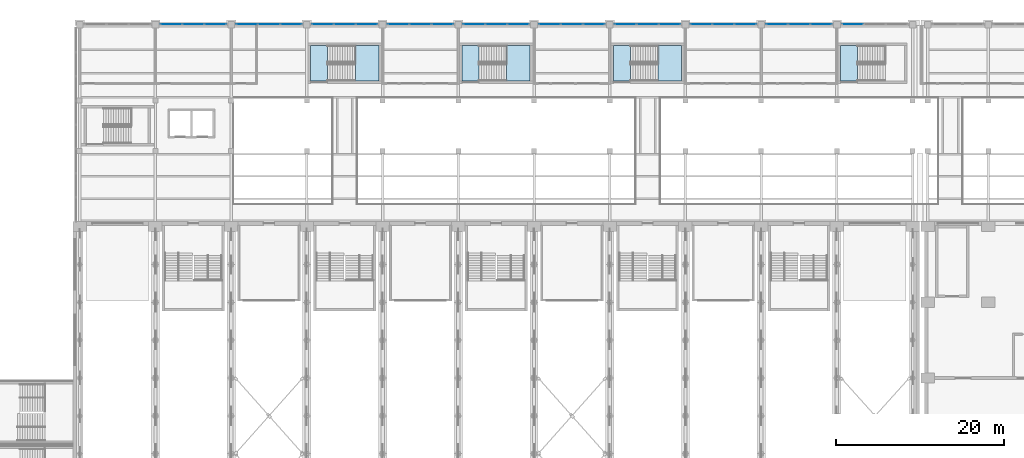
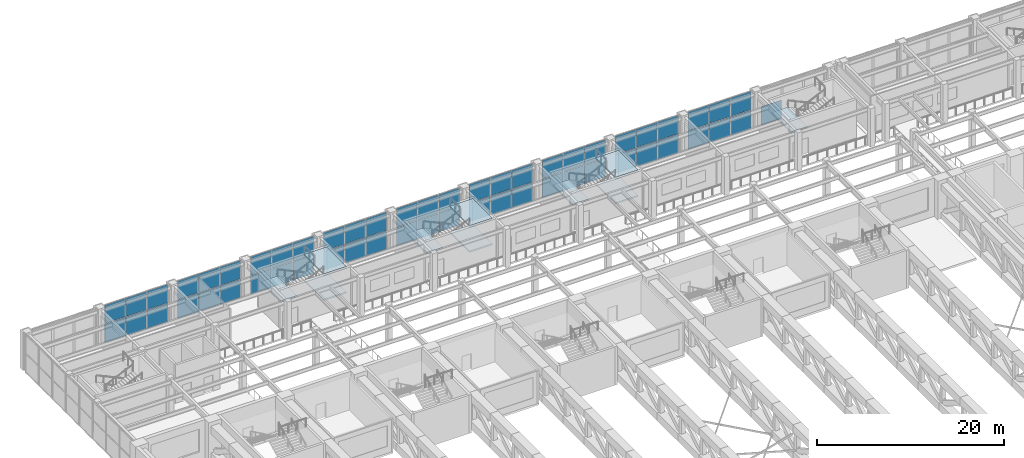
# One storey, part 30 of 76: 55 plates, 10 slabs, 14 elements without a shape of their own.
"""IFC4 building model written with IfcOpenShell, lengths in metres."""

from ifc_helpers import new_model, si_unit, direction, frame, origin, origin_2d, place, context, subcontext, project, spatial, polyline, rectangle, outline, extrude, material, layer, layer_set, type_object, element, aggregate, save


model = new_model("IFC4")

# Units and contexts
model_context = context("Model", 3, precision=1e-05, world=origin(), true_north=direction((0.0, 1.0)))
body_context = subcontext(model_context, "Body", "Model", "MODEL_VIEW")
ifc_project = project(units=[si_unit("LENGTHUNIT", "METRE"), si_unit("AREAUNIT", "SQUARE_METRE"), si_unit("VOLUMEUNIT", "CUBIC_METRE"), si_unit("PLANEANGLEUNIT", "RADIAN"), si_unit("MASSUNIT", "GRAM", prefix="KILO")], contexts=[model_context])

# Site, building, storey
site_placement = place(None, origin())
site = spatial("IfcSite", under=ifc_project, at=site_placement, CompositionType="ELEMENT")
building_placement = place(site_placement, origin())
building = spatial("IfcBuilding", under=site, at=building_placement, Name="Aravalli Gate Trade Fair Centre", CompositionType="ELEMENT")
storey_placement = place(building_placement, frame((0.0, 0.0, 10.0)))
storey = spatial("IfcBuildingStorey", under=building, at=storey_placement, Name="L02", CompositionType="ELEMENT", Elevation=10.0)

# Stair, slabs
ifc_material_1 = material(Name="Concrete M30", Category="concrete")
stair_type = type_object("IfcStairType", Name="Concourse stair, 2000 wide", PredefinedType="HALF_TURN_STAIR", material=ifc_material_1)
stair_1_placement = place(storey_placement, origin())
stair_1 = element("IfcStair", 1, at=stair_1_placement, inside=storey, type_object=stair_type, Name="Stair XA L02", PredefinedType="HALF_TURN_STAIR")
ifc_layer_1 = layer(ifc_material_1, 0.199951171875)
ifc_layer_set_1 = layer_set([ifc_layer_1], Name="Concrete M30")
slab_type = type_object("IfcSlabType", Name="Concourse stair landing 200", PredefinedType="LANDING", material=ifc_layer_set_1)
slab_1_placement = place(storey_placement, frame((0.0, 0.0, 1.466796875)))
slab_1 = element("IfcSlab", 2, at=slab_1_placement, type_object=slab_type, Name="STXA-L02 landing 1", PredefinedType="LANDING", context=body_context, shape_type="SweptSolid", body=[
    extrude(outline(polyline([(38.75, 126.300048828125), (41.550048828125, 126.300048828125), (41.550048828125, 130.5), (38.75, 130.5), (38.75, 126.300048828125)])), origin(), (0.0, 0.0, 1.0), 0.199951171875),
])
slab_2_placement = place(storey_placement, frame((0.0, 0.0, 3.13330078125)))
slab_2 = element("IfcSlab", 3, at=slab_2_placement, type_object=slab_type, Name="STXA-L02 landing 2", PredefinedType="LANDING", context=body_context, shape_type="SweptSolid", body=[
    extrude(outline(polyline([(33.449951171875, 126.300048828125), (35.449951171875, 126.300048828125), (35.449951171875, 130.5), (33.449951171875, 130.5), (33.449951171875, 126.300048828125)])), origin(), (0.0, 0.0, 1.0), 0.199951171875),
])
slab_3_placement = place(storey_placement, frame((0.0, 0.0, 4.800048828125)))
slab_3 = element("IfcSlab", 4, at=slab_3_placement, type_object=slab_type, Name="STXA-L02 landing 3", PredefinedType="LANDING", context=body_context, shape_type="SweptSolid", body=[
    extrude(outline(polyline([(38.75, 126.300048828125), (41.550048828125, 126.300048828125), (41.550048828125, 130.5), (38.75, 130.5), (38.75, 126.300048828125)])), origin(), (0.0, 0.0, 1.0), 0.199951171875),
])
aggregate(stair_1, [slab_1, slab_2, slab_3])

stair_2_placement = place(storey_placement, origin())
stair_2 = element("IfcStair", 5, at=stair_2_placement, inside=storey, type_object=stair_type, Name="Stair XB L02", PredefinedType="HALF_TURN_STAIR")
slab_4_placement = place(storey_placement, frame((0.0, 0.0, 1.466796875)))
slab_4 = element("IfcSlab", 6, at=slab_4_placement, type_object=slab_type, Name="STXB-L02 landing 1", PredefinedType="LANDING", context=body_context, shape_type="SweptSolid", body=[
    extrude(outline(polyline([(56.75, 126.300048828125), (59.550048828125, 126.300048828125), (59.550048828125, 130.5), (56.75, 130.5), (56.75, 126.300048828125)])), origin(), (0.0, 0.0, 1.0), 0.199951171875),
])
slab_5_placement = place(storey_placement, frame((0.0, 0.0, 3.13330078125)))
slab_5 = element("IfcSlab", 7, at=slab_5_placement, type_object=slab_type, Name="STXB-L02 landing 2", PredefinedType="LANDING", context=body_context, shape_type="SweptSolid", body=[
    extrude(outline(polyline([(51.449951171875, 126.300048828125), (53.449951171875, 126.300048828125), (53.449951171875, 130.5), (51.449951171875, 130.5), (51.449951171875, 126.300048828125)])), origin(), (0.0, 0.0, 1.0), 0.199951171875),
])
slab_6_placement = place(storey_placement, frame((0.0, 0.0, 4.800048828125)))
slab_6 = element("IfcSlab", 8, at=slab_6_placement, type_object=slab_type, Name="STXB-L02 landing 3", PredefinedType="LANDING", context=body_context, shape_type="SweptSolid", body=[
    extrude(outline(polyline([(56.75, 126.300048828125), (59.550048828125, 126.300048828125), (59.550048828125, 130.5), (56.75, 130.5), (56.75, 126.300048828125)])), origin(), (0.0, 0.0, 1.0), 0.199951171875),
])
aggregate(stair_2, [slab_4, slab_5, slab_6])

stair_3_placement = place(storey_placement, origin())
stair_3 = element("IfcStair", 9, at=stair_3_placement, inside=storey, type_object=stair_type, Name="Stair XC L02", PredefinedType="HALF_TURN_STAIR")
slab_7_placement = place(storey_placement, frame((0.0, 0.0, 1.466796875)))
slab_7 = element("IfcSlab", 10, at=slab_7_placement, type_object=slab_type, Name="STXC-L02 landing 1", PredefinedType="LANDING", context=body_context, shape_type="SweptSolid", body=[
    extrude(outline(polyline([(74.75, 126.300048828125), (77.550048828125, 126.300048828125), (77.550048828125, 130.5), (74.75, 130.5), (74.75, 126.300048828125)])), origin(), (0.0, 0.0, 1.0), 0.199951171875),
])
slab_8_placement = place(storey_placement, frame((0.0, 0.0, 3.13330078125)))
slab_8 = element("IfcSlab", 11, at=slab_8_placement, type_object=slab_type, Name="STXC-L02 landing 2", PredefinedType="LANDING", context=body_context, shape_type="SweptSolid", body=[
    extrude(outline(polyline([(69.449951171875, 126.300048828125), (71.449951171875, 126.300048828125), (71.449951171875, 130.5), (69.449951171875, 130.5), (69.449951171875, 126.300048828125)])), origin(), (0.0, 0.0, 1.0), 0.199951171875),
])
slab_9_placement = place(storey_placement, frame((0.0, 0.0, 4.800048828125)))
slab_9 = element("IfcSlab", 12, at=slab_9_placement, type_object=slab_type, Name="STXC-L02 landing 3", PredefinedType="LANDING", context=body_context, shape_type="SweptSolid", body=[
    extrude(outline(polyline([(74.75, 126.300048828125), (77.550048828125, 126.300048828125), (77.550048828125, 130.5), (74.75, 130.5), (74.75, 126.300048828125)])), origin(), (0.0, 0.0, 1.0), 0.199951171875),
])
aggregate(stair_3, [slab_7, slab_8, slab_9])

# Stair, slab
stair_4_placement = place(storey_placement, origin())
stair_4 = element("IfcStair", 13, at=stair_4_placement, inside=storey, type_object=stair_type, Name="Stair XD L02", PredefinedType="HALF_TURN_STAIR")
slab_10_placement = place(storey_placement, frame((0.0, 0.0, 3.13330078125)))
slab_10 = element("IfcSlab", 14, at=slab_10_placement, type_object=slab_type, Name="STXD-L02 landing 2", PredefinedType="LANDING", context=body_context, shape_type="SweptSolid", body=[
    extrude(outline(polyline([(96.449951171875, 126.300048828125), (98.449951171875, 126.300048828125), (98.449951171875, 130.5), (96.449951171875, 130.5), (96.449951171875, 126.300048828125)])), origin(), (0.0, 0.0, 1.0), 0.199951171875),
])
aggregate(stair_4, [slab_10])

# Curtain wall, plates
ifc_material_2 = material(Name="Aluminium and glass", Category="aluminium")
curtain_wall_type = type_object("IfcCurtainWallType", Name="Curtain wall 3000 module, tall", PredefinedType="NOTDEFINED", material=ifc_material_2)
curtain_wall_1_placement = place(storey_placement, origin())
curtain_wall_1 = element("IfcCurtainWall", 15, at=curtain_wall_1_placement, inside=storey, type_object=curtain_wall_type, Name="Curtain wall north bay 2 L02", PredefinedType="NOTDEFINED")
ifc_material_3 = material(Name="Glass, double glazed", Category="glass")
ifc_layer_2 = layer(ifc_material_3, 0.028076171875)
ifc_layer_set_2 = layer_set([ifc_layer_2], Name="Glass, double glazed")
plate_type = type_object("IfcPlateType", Name="Curtain wall panel, double glazed 28", PredefinedType="CURTAIN_PANEL", material=ifc_layer_set_2)
plate_1_placement = place(storey_placement, frame((16.881591796875, 133.044921875, 0.06005859375), z_axis=(0.0, 0.0, 1.0), x_axis=(1.0, 0.0, 0.0)))
plate_1 = element("IfcPlate", 16, at=plate_1_placement, type_object=plate_type, Name="CW3 panel 1.1", PredefinedType="CURTAIN_PANEL", context=body_context, shape_type="SweptSolid", body=[
    extrude(rectangle(XDim=2.543212890625, YDim=0.028076171875, at=origin_2d()), origin(), (0.0, 0.0, 1.0), 2.409912109375),
])
plate_2_placement = place(storey_placement, frame((16.881591796875, 133.044921875, 2.5302734375), z_axis=(0.0, 0.0, 1.0), x_axis=(1.0, 0.0, 0.0)))
plate_2 = element("IfcPlate", 17, at=plate_2_placement, type_object=plate_type, Name="CW3 panel 1.2", PredefinedType="CURTAIN_PANEL", context=body_context, shape_type="SweptSolid", body=[
    extrude(rectangle(XDim=2.543212890625, YDim=0.028076171875, at=origin_2d()), origin(), (0.0, 0.0, 1.0), 2.409912109375),
])
plate_3_placement = place(storey_placement, frame((19.5, 133.044921875, 0.06005859375), z_axis=(0.0, 0.0, 1.0), x_axis=(1.0, 0.0, 0.0)))
plate_3 = element("IfcPlate", 18, at=plate_3_placement, type_object=plate_type, Name="CW3 panel 2.1", PredefinedType="CURTAIN_PANEL", context=body_context, shape_type="SweptSolid", body=[
    extrude(rectangle(XDim=2.5732421875, YDim=0.028076171875, at=origin_2d()), origin(), (0.0, 0.0, 1.0), 2.409912109375),
])
plate_4_placement = place(storey_placement, frame((19.5, 133.044921875, 2.5302734375), z_axis=(0.0, 0.0, 1.0), x_axis=(1.0, 0.0, 0.0)))
plate_4 = element("IfcPlate", 19, at=plate_4_placement, type_object=plate_type, Name="CW3 panel 2.2", PredefinedType="CURTAIN_PANEL", context=body_context, shape_type="SweptSolid", body=[
    extrude(rectangle(XDim=2.5732421875, YDim=0.028076171875, at=origin_2d()), origin(), (0.0, 0.0, 1.0), 2.409912109375),
])
plate_5_placement = place(storey_placement, frame((22.118408203125, 133.044921875, 0.06005859375), z_axis=(0.0, 0.0, 1.0), x_axis=(1.0, 0.0, 0.0)))
plate_5 = element("IfcPlate", 20, at=plate_5_placement, type_object=plate_type, Name="CW3 panel 3.1", PredefinedType="CURTAIN_PANEL", context=body_context, shape_type="SweptSolid", body=[
    extrude(rectangle(XDim=2.543212890625, YDim=0.028076171875, at=origin_2d()), origin(), (0.0, 0.0, 1.0), 2.409912109375),
])
plate_6_placement = place(storey_placement, frame((22.118408203125, 133.044921875, 2.5302734375), z_axis=(0.0, 0.0, 1.0), x_axis=(1.0, 0.0, 0.0)))
plate_6 = element("IfcPlate", 21, at=plate_6_placement, type_object=plate_type, Name="CW3 panel 3.2", PredefinedType="CURTAIN_PANEL", context=body_context, shape_type="SweptSolid", body=[
    extrude(rectangle(XDim=2.543212890625, YDim=0.028076171875, at=origin_2d()), origin(), (0.0, 0.0, 1.0), 2.409912109375),
])
aggregate(curtain_wall_1, [plate_1, plate_2, plate_3, plate_4, plate_5, plate_6])

curtain_wall_2_placement = place(storey_placement, origin())
curtain_wall_2 = element("IfcCurtainWall", 22, at=curtain_wall_2_placement, inside=storey, type_object=curtain_wall_type, Name="Curtain wall north bay 3 L02", PredefinedType="NOTDEFINED")
plate_7_placement = place(storey_placement, frame((25.881591796875, 133.044921875, 0.06005859375), z_axis=(0.0, 0.0, 1.0), x_axis=(1.0, 0.0, 0.0)))
plate_7 = element("IfcPlate", 23, at=plate_7_placement, type_object=plate_type, Name="CW3 panel 1.1", PredefinedType="CURTAIN_PANEL", context=body_context, shape_type="SweptSolid", body=[
    extrude(rectangle(XDim=2.543212890625, YDim=0.028076171875, at=origin_2d()), origin(), (0.0, 0.0, 1.0), 2.409912109375),
])
plate_8_placement = place(storey_placement, frame((25.881591796875, 133.044921875, 2.5302734375), z_axis=(0.0, 0.0, 1.0), x_axis=(1.0, 0.0, 0.0)))
plate_8 = element("IfcPlate", 24, at=plate_8_placement, type_object=plate_type, Name="CW3 panel 1.2", PredefinedType="CURTAIN_PANEL", context=body_context, shape_type="SweptSolid", body=[
    extrude(rectangle(XDim=2.543212890625, YDim=0.028076171875, at=origin_2d()), origin(), (0.0, 0.0, 1.0), 2.409912109375),
])
plate_9_placement = place(storey_placement, frame((28.5, 133.044921875, 0.06005859375), z_axis=(0.0, 0.0, 1.0), x_axis=(1.0, 0.0, 0.0)))
plate_9 = element("IfcPlate", 25, at=plate_9_placement, type_object=plate_type, Name="CW3 panel 2.1", PredefinedType="CURTAIN_PANEL", context=body_context, shape_type="SweptSolid", body=[
    extrude(rectangle(XDim=2.5732421875, YDim=0.028076171875, at=origin_2d()), origin(), (0.0, 0.0, 1.0), 2.409912109375),
])
plate_10_placement = place(storey_placement, frame((28.5, 133.044921875, 2.5302734375), z_axis=(0.0, 0.0, 1.0), x_axis=(1.0, 0.0, 0.0)))
plate_10 = element("IfcPlate", 26, at=plate_10_placement, type_object=plate_type, Name="CW3 panel 2.2", PredefinedType="CURTAIN_PANEL", context=body_context, shape_type="SweptSolid", body=[
    extrude(rectangle(XDim=2.5732421875, YDim=0.028076171875, at=origin_2d()), origin(), (0.0, 0.0, 1.0), 2.409912109375),
])
plate_11_placement = place(storey_placement, frame((31.118408203125, 133.044921875, 0.06005859375), z_axis=(0.0, 0.0, 1.0), x_axis=(1.0, 0.0, 0.0)))
plate_11 = element("IfcPlate", 27, at=plate_11_placement, type_object=plate_type, Name="CW3 panel 3.1", PredefinedType="CURTAIN_PANEL", context=body_context, shape_type="SweptSolid", body=[
    extrude(rectangle(XDim=2.543212890625, YDim=0.028076171875, at=origin_2d()), origin(), (0.0, 0.0, 1.0), 2.409912109375),
])
plate_12_placement = place(storey_placement, frame((31.118408203125, 133.044921875, 2.5302734375), z_axis=(0.0, 0.0, 1.0), x_axis=(1.0, 0.0, 0.0)))
plate_12 = element("IfcPlate", 28, at=plate_12_placement, type_object=plate_type, Name="CW3 panel 3.2", PredefinedType="CURTAIN_PANEL", context=body_context, shape_type="SweptSolid", body=[
    extrude(rectangle(XDim=2.543212890625, YDim=0.028076171875, at=origin_2d()), origin(), (0.0, 0.0, 1.0), 2.409912109375),
])
aggregate(curtain_wall_2, [plate_7, plate_8, plate_9, plate_10, plate_11, plate_12])

curtain_wall_3_placement = place(storey_placement, origin())
curtain_wall_3 = element("IfcCurtainWall", 29, at=curtain_wall_3_placement, inside=storey, type_object=curtain_wall_type, Name="Curtain wall north bay 4 L02", PredefinedType="NOTDEFINED")
plate_13_placement = place(storey_placement, frame((34.881591796875, 133.044921875, 0.06005859375), z_axis=(0.0, 0.0, 1.0), x_axis=(1.0, 0.0, 0.0)))
plate_13 = element("IfcPlate", 30, at=plate_13_placement, type_object=plate_type, Name="CW3 panel 1.1", PredefinedType="CURTAIN_PANEL", context=body_context, shape_type="SweptSolid", body=[
    extrude(rectangle(XDim=2.543212890625, YDim=0.028076171875, at=origin_2d()), origin(), (0.0, 0.0, 1.0), 2.409912109375),
])
plate_14_placement = place(storey_placement, frame((34.881591796875, 133.044921875, 2.5302734375), z_axis=(0.0, 0.0, 1.0), x_axis=(1.0, 0.0, 0.0)))
plate_14 = element("IfcPlate", 31, at=plate_14_placement, type_object=plate_type, Name="CW3 panel 1.2", PredefinedType="CURTAIN_PANEL", context=body_context, shape_type="SweptSolid", body=[
    extrude(rectangle(XDim=2.543212890625, YDim=0.028076171875, at=origin_2d()), origin(), (0.0, 0.0, 1.0), 2.409912109375),
])
plate_15_placement = place(storey_placement, frame((37.5, 133.044921875, 0.06005859375), z_axis=(0.0, 0.0, 1.0), x_axis=(1.0, 0.0, 0.0)))
plate_15 = element("IfcPlate", 32, at=plate_15_placement, type_object=plate_type, Name="CW3 panel 2.1", PredefinedType="CURTAIN_PANEL", context=body_context, shape_type="SweptSolid", body=[
    extrude(rectangle(XDim=2.5732421875, YDim=0.028076171875, at=origin_2d()), origin(), (0.0, 0.0, 1.0), 2.409912109375),
])
plate_16_placement = place(storey_placement, frame((37.5, 133.044921875, 2.5302734375), z_axis=(0.0, 0.0, 1.0), x_axis=(1.0, 0.0, 0.0)))
plate_16 = element("IfcPlate", 33, at=plate_16_placement, type_object=plate_type, Name="CW3 panel 2.2", PredefinedType="CURTAIN_PANEL", context=body_context, shape_type="SweptSolid", body=[
    extrude(rectangle(XDim=2.5732421875, YDim=0.028076171875, at=origin_2d()), origin(), (0.0, 0.0, 1.0), 2.409912109375),
])
plate_17_placement = place(storey_placement, frame((40.118408203125, 133.044921875, 0.06005859375), z_axis=(0.0, 0.0, 1.0), x_axis=(1.0, 0.0, 0.0)))
plate_17 = element("IfcPlate", 34, at=plate_17_placement, type_object=plate_type, Name="CW3 panel 3.1", PredefinedType="CURTAIN_PANEL", context=body_context, shape_type="SweptSolid", body=[
    extrude(rectangle(XDim=2.543212890625, YDim=0.028076171875, at=origin_2d()), origin(), (0.0, 0.0, 1.0), 2.409912109375),
])
plate_18_placement = place(storey_placement, frame((40.118408203125, 133.044921875, 2.5302734375), z_axis=(0.0, 0.0, 1.0), x_axis=(1.0, 0.0, 0.0)))
plate_18 = element("IfcPlate", 35, at=plate_18_placement, type_object=plate_type, Name="CW3 panel 3.2", PredefinedType="CURTAIN_PANEL", context=body_context, shape_type="SweptSolid", body=[
    extrude(rectangle(XDim=2.543212890625, YDim=0.028076171875, at=origin_2d()), origin(), (0.0, 0.0, 1.0), 2.409912109375),
])
aggregate(curtain_wall_3, [plate_13, plate_14, plate_15, plate_16, plate_17, plate_18])

curtain_wall_4_placement = place(storey_placement, origin())
curtain_wall_4 = element("IfcCurtainWall", 36, at=curtain_wall_4_placement, inside=storey, type_object=curtain_wall_type, Name="Curtain wall north bay 5 L02", PredefinedType="NOTDEFINED")
plate_19_placement = place(storey_placement, frame((43.881591796875, 133.044921875, 0.06005859375), z_axis=(0.0, 0.0, 1.0), x_axis=(1.0, 0.0, 0.0)))
plate_19 = element("IfcPlate", 37, at=plate_19_placement, type_object=plate_type, Name="CW3 panel 1.1", PredefinedType="CURTAIN_PANEL", context=body_context, shape_type="SweptSolid", body=[
    extrude(rectangle(XDim=2.543212890625, YDim=0.028076171875, at=origin_2d()), origin(), (0.0, 0.0, 1.0), 2.409912109375),
])
plate_20_placement = place(storey_placement, frame((43.881591796875, 133.044921875, 2.5302734375), z_axis=(0.0, 0.0, 1.0), x_axis=(1.0, 0.0, 0.0)))
plate_20 = element("IfcPlate", 38, at=plate_20_placement, type_object=plate_type, Name="CW3 panel 1.2", PredefinedType="CURTAIN_PANEL", context=body_context, shape_type="SweptSolid", body=[
    extrude(rectangle(XDim=2.543212890625, YDim=0.028076171875, at=origin_2d()), origin(), (0.0, 0.0, 1.0), 2.409912109375),
])
plate_21_placement = place(storey_placement, frame((46.5, 133.044921875, 0.06005859375), z_axis=(0.0, 0.0, 1.0), x_axis=(1.0, 0.0, 0.0)))
plate_21 = element("IfcPlate", 39, at=plate_21_placement, type_object=plate_type, Name="CW3 panel 2.1", PredefinedType="CURTAIN_PANEL", context=body_context, shape_type="SweptSolid", body=[
    extrude(rectangle(XDim=2.5732421875, YDim=0.028076171875, at=origin_2d()), origin(), (0.0, 0.0, 1.0), 2.409912109375),
])
plate_22_placement = place(storey_placement, frame((46.5, 133.044921875, 2.5302734375), z_axis=(0.0, 0.0, 1.0), x_axis=(1.0, 0.0, 0.0)))
plate_22 = element("IfcPlate", 40, at=plate_22_placement, type_object=plate_type, Name="CW3 panel 2.2", PredefinedType="CURTAIN_PANEL", context=body_context, shape_type="SweptSolid", body=[
    extrude(rectangle(XDim=2.5732421875, YDim=0.028076171875, at=origin_2d()), origin(), (0.0, 0.0, 1.0), 2.409912109375),
])
plate_23_placement = place(storey_placement, frame((49.118408203125, 133.044921875, 0.06005859375), z_axis=(0.0, 0.0, 1.0), x_axis=(1.0, 0.0, 0.0)))
plate_23 = element("IfcPlate", 41, at=plate_23_placement, type_object=plate_type, Name="CW3 panel 3.1", PredefinedType="CURTAIN_PANEL", context=body_context, shape_type="SweptSolid", body=[
    extrude(rectangle(XDim=2.543212890625, YDim=0.028076171875, at=origin_2d()), origin(), (0.0, 0.0, 1.0), 2.409912109375),
])
plate_24_placement = place(storey_placement, frame((49.118408203125, 133.044921875, 2.5302734375), z_axis=(0.0, 0.0, 1.0), x_axis=(1.0, 0.0, 0.0)))
plate_24 = element("IfcPlate", 42, at=plate_24_placement, type_object=plate_type, Name="CW3 panel 3.2", PredefinedType="CURTAIN_PANEL", context=body_context, shape_type="SweptSolid", body=[
    extrude(rectangle(XDim=2.543212890625, YDim=0.028076171875, at=origin_2d()), origin(), (0.0, 0.0, 1.0), 2.409912109375),
])
aggregate(curtain_wall_4, [plate_19, plate_20, plate_21, plate_22, plate_23, plate_24])

curtain_wall_5_placement = place(storey_placement, origin())
curtain_wall_5 = element("IfcCurtainWall", 43, at=curtain_wall_5_placement, inside=storey, type_object=curtain_wall_type, Name="Curtain wall north bay 6 L02", PredefinedType="NOTDEFINED")
plate_25_placement = place(storey_placement, frame((52.881591796875, 133.044921875, 0.06005859375), z_axis=(0.0, 0.0, 1.0), x_axis=(1.0, 0.0, 0.0)))
plate_25 = element("IfcPlate", 44, at=plate_25_placement, type_object=plate_type, Name="CW3 panel 1.1", PredefinedType="CURTAIN_PANEL", context=body_context, shape_type="SweptSolid", body=[
    extrude(rectangle(XDim=2.543212890625, YDim=0.028076171875, at=origin_2d()), origin(), (0.0, 0.0, 1.0), 2.409912109375),
])
plate_26_placement = place(storey_placement, frame((52.881591796875, 133.044921875, 2.5302734375), z_axis=(0.0, 0.0, 1.0), x_axis=(1.0, 0.0, 0.0)))
plate_26 = element("IfcPlate", 45, at=plate_26_placement, type_object=plate_type, Name="CW3 panel 1.2", PredefinedType="CURTAIN_PANEL", context=body_context, shape_type="SweptSolid", body=[
    extrude(rectangle(XDim=2.543212890625, YDim=0.028076171875, at=origin_2d()), origin(), (0.0, 0.0, 1.0), 2.409912109375),
])
plate_27_placement = place(storey_placement, frame((55.5, 133.044921875, 0.06005859375), z_axis=(0.0, 0.0, 1.0), x_axis=(1.0, 0.0, 0.0)))
plate_27 = element("IfcPlate", 46, at=plate_27_placement, type_object=plate_type, Name="CW3 panel 2.1", PredefinedType="CURTAIN_PANEL", context=body_context, shape_type="SweptSolid", body=[
    extrude(rectangle(XDim=2.5732421875, YDim=0.028076171875, at=origin_2d()), origin(), (0.0, 0.0, 1.0), 2.409912109375),
])
plate_28_placement = place(storey_placement, frame((55.5, 133.044921875, 2.5302734375), z_axis=(0.0, 0.0, 1.0), x_axis=(1.0, 0.0, 0.0)))
plate_28 = element("IfcPlate", 47, at=plate_28_placement, type_object=plate_type, Name="CW3 panel 2.2", PredefinedType="CURTAIN_PANEL", context=body_context, shape_type="SweptSolid", body=[
    extrude(rectangle(XDim=2.5732421875, YDim=0.028076171875, at=origin_2d()), origin(), (0.0, 0.0, 1.0), 2.409912109375),
])
plate_29_placement = place(storey_placement, frame((58.118408203125, 133.044921875, 0.06005859375), z_axis=(0.0, 0.0, 1.0), x_axis=(1.0, 0.0, 0.0)))
plate_29 = element("IfcPlate", 48, at=plate_29_placement, type_object=plate_type, Name="CW3 panel 3.1", PredefinedType="CURTAIN_PANEL", context=body_context, shape_type="SweptSolid", body=[
    extrude(rectangle(XDim=2.543212890625, YDim=0.028076171875, at=origin_2d()), origin(), (0.0, 0.0, 1.0), 2.409912109375),
])
plate_30_placement = place(storey_placement, frame((58.118408203125, 133.044921875, 2.5302734375), z_axis=(0.0, 0.0, 1.0), x_axis=(1.0, 0.0, 0.0)))
plate_30 = element("IfcPlate", 49, at=plate_30_placement, type_object=plate_type, Name="CW3 panel 3.2", PredefinedType="CURTAIN_PANEL", context=body_context, shape_type="SweptSolid", body=[
    extrude(rectangle(XDim=2.543212890625, YDim=0.028076171875, at=origin_2d()), origin(), (0.0, 0.0, 1.0), 2.409912109375),
])
aggregate(curtain_wall_5, [plate_25, plate_26, plate_27, plate_28, plate_29, plate_30])

curtain_wall_6_placement = place(storey_placement, origin())
curtain_wall_6 = element("IfcCurtainWall", 50, at=curtain_wall_6_placement, inside=storey, type_object=curtain_wall_type, Name="Curtain wall north bay 7 L02", PredefinedType="NOTDEFINED")
plate_31_placement = place(storey_placement, frame((61.881591796875, 133.044921875, 0.06005859375), z_axis=(0.0, 0.0, 1.0), x_axis=(1.0, 0.0, 0.0)))
plate_31 = element("IfcPlate", 51, at=plate_31_placement, type_object=plate_type, Name="CW3 panel 1.1", PredefinedType="CURTAIN_PANEL", context=body_context, shape_type="SweptSolid", body=[
    extrude(rectangle(XDim=2.543212890625, YDim=0.028076171875, at=origin_2d()), origin(), (0.0, 0.0, 1.0), 2.409912109375),
])
plate_32_placement = place(storey_placement, frame((61.881591796875, 133.044921875, 2.5302734375), z_axis=(0.0, 0.0, 1.0), x_axis=(1.0, 0.0, 0.0)))
plate_32 = element("IfcPlate", 52, at=plate_32_placement, type_object=plate_type, Name="CW3 panel 1.2", PredefinedType="CURTAIN_PANEL", context=body_context, shape_type="SweptSolid", body=[
    extrude(rectangle(XDim=2.543212890625, YDim=0.028076171875, at=origin_2d()), origin(), (0.0, 0.0, 1.0), 2.409912109375),
])
plate_33_placement = place(storey_placement, frame((64.5, 133.044921875, 0.06005859375), z_axis=(0.0, 0.0, 1.0), x_axis=(1.0, 0.0, 0.0)))
plate_33 = element("IfcPlate", 53, at=plate_33_placement, type_object=plate_type, Name="CW3 panel 2.1", PredefinedType="CURTAIN_PANEL", context=body_context, shape_type="SweptSolid", body=[
    extrude(rectangle(XDim=2.5732421875, YDim=0.028076171875, at=origin_2d()), origin(), (0.0, 0.0, 1.0), 2.409912109375),
])
plate_34_placement = place(storey_placement, frame((64.5, 133.044921875, 2.5302734375), z_axis=(0.0, 0.0, 1.0), x_axis=(1.0, 0.0, 0.0)))
plate_34 = element("IfcPlate", 54, at=plate_34_placement, type_object=plate_type, Name="CW3 panel 2.2", PredefinedType="CURTAIN_PANEL", context=body_context, shape_type="SweptSolid", body=[
    extrude(rectangle(XDim=2.5732421875, YDim=0.028076171875, at=origin_2d()), origin(), (0.0, 0.0, 1.0), 2.409912109375),
])
plate_35_placement = place(storey_placement, frame((67.118408203125, 133.044921875, 0.06005859375), z_axis=(0.0, 0.0, 1.0), x_axis=(1.0, 0.0, 0.0)))
plate_35 = element("IfcPlate", 55, at=plate_35_placement, type_object=plate_type, Name="CW3 panel 3.1", PredefinedType="CURTAIN_PANEL", context=body_context, shape_type="SweptSolid", body=[
    extrude(rectangle(XDim=2.543212890625, YDim=0.028076171875, at=origin_2d()), origin(), (0.0, 0.0, 1.0), 2.409912109375),
])
plate_36_placement = place(storey_placement, frame((67.118408203125, 133.044921875, 2.5302734375), z_axis=(0.0, 0.0, 1.0), x_axis=(1.0, 0.0, 0.0)))
plate_36 = element("IfcPlate", 56, at=plate_36_placement, type_object=plate_type, Name="CW3 panel 3.2", PredefinedType="CURTAIN_PANEL", context=body_context, shape_type="SweptSolid", body=[
    extrude(rectangle(XDim=2.543212890625, YDim=0.028076171875, at=origin_2d()), origin(), (0.0, 0.0, 1.0), 2.409912109375),
])
aggregate(curtain_wall_6, [plate_31, plate_32, plate_33, plate_34, plate_35, plate_36])

curtain_wall_7_placement = place(storey_placement, origin())
curtain_wall_7 = element("IfcCurtainWall", 57, at=curtain_wall_7_placement, inside=storey, type_object=curtain_wall_type, Name="Curtain wall north bay 8 L02", PredefinedType="NOTDEFINED")
plate_37_placement = place(storey_placement, frame((70.881591796875, 133.044921875, 0.06005859375), z_axis=(0.0, 0.0, 1.0), x_axis=(1.0, 0.0, 0.0)))
plate_37 = element("IfcPlate", 58, at=plate_37_placement, type_object=plate_type, Name="CW3 panel 1.1", PredefinedType="CURTAIN_PANEL", context=body_context, shape_type="SweptSolid", body=[
    extrude(rectangle(XDim=2.543212890625, YDim=0.028076171875, at=origin_2d()), origin(), (0.0, 0.0, 1.0), 2.409912109375),
])
plate_38_placement = place(storey_placement, frame((70.881591796875, 133.044921875, 2.5302734375), z_axis=(0.0, 0.0, 1.0), x_axis=(1.0, 0.0, 0.0)))
plate_38 = element("IfcPlate", 59, at=plate_38_placement, type_object=plate_type, Name="CW3 panel 1.2", PredefinedType="CURTAIN_PANEL", context=body_context, shape_type="SweptSolid", body=[
    extrude(rectangle(XDim=2.543212890625, YDim=0.028076171875, at=origin_2d()), origin(), (0.0, 0.0, 1.0), 2.409912109375),
])
plate_39_placement = place(storey_placement, frame((73.5, 133.044921875, 0.06005859375), z_axis=(0.0, 0.0, 1.0), x_axis=(1.0, 0.0, 0.0)))
plate_39 = element("IfcPlate", 60, at=plate_39_placement, type_object=plate_type, Name="CW3 panel 2.1", PredefinedType="CURTAIN_PANEL", context=body_context, shape_type="SweptSolid", body=[
    extrude(rectangle(XDim=2.5732421875, YDim=0.028076171875, at=origin_2d()), origin(), (0.0, 0.0, 1.0), 2.409912109375),
])
plate_40_placement = place(storey_placement, frame((73.5, 133.044921875, 2.5302734375), z_axis=(0.0, 0.0, 1.0), x_axis=(1.0, 0.0, 0.0)))
plate_40 = element("IfcPlate", 61, at=plate_40_placement, type_object=plate_type, Name="CW3 panel 2.2", PredefinedType="CURTAIN_PANEL", context=body_context, shape_type="SweptSolid", body=[
    extrude(rectangle(XDim=2.5732421875, YDim=0.028076171875, at=origin_2d()), origin(), (0.0, 0.0, 1.0), 2.409912109375),
])
plate_41_placement = place(storey_placement, frame((76.118408203125, 133.044921875, 0.06005859375), z_axis=(0.0, 0.0, 1.0), x_axis=(1.0, 0.0, 0.0)))
plate_41 = element("IfcPlate", 62, at=plate_41_placement, type_object=plate_type, Name="CW3 panel 3.1", PredefinedType="CURTAIN_PANEL", context=body_context, shape_type="SweptSolid", body=[
    extrude(rectangle(XDim=2.543212890625, YDim=0.028076171875, at=origin_2d()), origin(), (0.0, 0.0, 1.0), 2.409912109375),
])
plate_42_placement = place(storey_placement, frame((76.118408203125, 133.044921875, 2.5302734375), z_axis=(0.0, 0.0, 1.0), x_axis=(1.0, 0.0, 0.0)))
plate_42 = element("IfcPlate", 63, at=plate_42_placement, type_object=plate_type, Name="CW3 panel 3.2", PredefinedType="CURTAIN_PANEL", context=body_context, shape_type="SweptSolid", body=[
    extrude(rectangle(XDim=2.543212890625, YDim=0.028076171875, at=origin_2d()), origin(), (0.0, 0.0, 1.0), 2.409912109375),
])
aggregate(curtain_wall_7, [plate_37, plate_38, plate_39, plate_40, plate_41, plate_42])

curtain_wall_8_placement = place(storey_placement, origin())
curtain_wall_8 = element("IfcCurtainWall", 64, at=curtain_wall_8_placement, inside=storey, type_object=curtain_wall_type, Name="Curtain wall north bay 9 L02", PredefinedType="NOTDEFINED")
plate_43_placement = place(storey_placement, frame((79.881591796875, 133.044921875, 0.06005859375), z_axis=(0.0, 0.0, 1.0), x_axis=(1.0, 0.0, 0.0)))
plate_43 = element("IfcPlate", 65, at=plate_43_placement, type_object=plate_type, Name="CW3 panel 1.1", PredefinedType="CURTAIN_PANEL", context=body_context, shape_type="SweptSolid", body=[
    extrude(rectangle(XDim=2.543212890625, YDim=0.028076171875, at=origin_2d()), origin(), (0.0, 0.0, 1.0), 2.409912109375),
])
plate_44_placement = place(storey_placement, frame((79.881591796875, 133.044921875, 2.5302734375), z_axis=(0.0, 0.0, 1.0), x_axis=(1.0, 0.0, 0.0)))
plate_44 = element("IfcPlate", 66, at=plate_44_placement, type_object=plate_type, Name="CW3 panel 1.2", PredefinedType="CURTAIN_PANEL", context=body_context, shape_type="SweptSolid", body=[
    extrude(rectangle(XDim=2.543212890625, YDim=0.028076171875, at=origin_2d()), origin(), (0.0, 0.0, 1.0), 2.409912109375),
])
plate_45_placement = place(storey_placement, frame((82.5, 133.044921875, 0.06005859375), z_axis=(0.0, 0.0, 1.0), x_axis=(1.0, 0.0, 0.0)))
plate_45 = element("IfcPlate", 67, at=plate_45_placement, type_object=plate_type, Name="CW3 panel 2.1", PredefinedType="CURTAIN_PANEL", context=body_context, shape_type="SweptSolid", body=[
    extrude(rectangle(XDim=2.5732421875, YDim=0.028076171875, at=origin_2d()), origin(), (0.0, 0.0, 1.0), 2.409912109375),
])
plate_46_placement = place(storey_placement, frame((82.5, 133.044921875, 2.5302734375), z_axis=(0.0, 0.0, 1.0), x_axis=(1.0, 0.0, 0.0)))
plate_46 = element("IfcPlate", 68, at=plate_46_placement, type_object=plate_type, Name="CW3 panel 2.2", PredefinedType="CURTAIN_PANEL", context=body_context, shape_type="SweptSolid", body=[
    extrude(rectangle(XDim=2.5732421875, YDim=0.028076171875, at=origin_2d()), origin(), (0.0, 0.0, 1.0), 2.409912109375),
])
plate_47_placement = place(storey_placement, frame((85.118408203125, 133.044921875, 0.06005859375), z_axis=(0.0, 0.0, 1.0), x_axis=(1.0, 0.0, 0.0)))
plate_47 = element("IfcPlate", 69, at=plate_47_placement, type_object=plate_type, Name="CW3 panel 3.1", PredefinedType="CURTAIN_PANEL", context=body_context, shape_type="SweptSolid", body=[
    extrude(rectangle(XDim=2.543212890625, YDim=0.028076171875, at=origin_2d()), origin(), (0.0, 0.0, 1.0), 2.409912109375),
])
plate_48_placement = place(storey_placement, frame((85.118408203125, 133.044921875, 2.5302734375), z_axis=(0.0, 0.0, 1.0), x_axis=(1.0, 0.0, 0.0)))
plate_48 = element("IfcPlate", 70, at=plate_48_placement, type_object=plate_type, Name="CW3 panel 3.2", PredefinedType="CURTAIN_PANEL", context=body_context, shape_type="SweptSolid", body=[
    extrude(rectangle(XDim=2.543212890625, YDim=0.028076171875, at=origin_2d()), origin(), (0.0, 0.0, 1.0), 2.409912109375),
])
aggregate(curtain_wall_8, [plate_43, plate_44, plate_45, plate_46, plate_47, plate_48])

curtain_wall_9_placement = place(storey_placement, origin())
curtain_wall_9 = element("IfcCurtainWall", 71, at=curtain_wall_9_placement, inside=storey, type_object=curtain_wall_type, Name="Curtain wall north bay 10 L02", PredefinedType="NOTDEFINED")
plate_49_placement = place(storey_placement, frame((88.881591796875, 133.044921875, 0.06005859375), z_axis=(0.0, 0.0, 1.0), x_axis=(1.0, 0.0, 0.0)))
plate_49 = element("IfcPlate", 72, at=plate_49_placement, type_object=plate_type, Name="CW3 panel 1.1", PredefinedType="CURTAIN_PANEL", context=body_context, shape_type="SweptSolid", body=[
    extrude(rectangle(XDim=2.543212890625, YDim=0.028076171875, at=origin_2d()), origin(), (0.0, 0.0, 1.0), 2.409912109375),
])
plate_50_placement = place(storey_placement, frame((88.881591796875, 133.044921875, 2.5302734375), z_axis=(0.0, 0.0, 1.0), x_axis=(1.0, 0.0, 0.0)))
plate_50 = element("IfcPlate", 73, at=plate_50_placement, type_object=plate_type, Name="CW3 panel 1.2", PredefinedType="CURTAIN_PANEL", context=body_context, shape_type="SweptSolid", body=[
    extrude(rectangle(XDim=2.543212890625, YDim=0.028076171875, at=origin_2d()), origin(), (0.0, 0.0, 1.0), 2.409912109375),
])
plate_51_placement = place(storey_placement, frame((91.5, 133.044921875, 0.06005859375), z_axis=(0.0, 0.0, 1.0), x_axis=(1.0, 0.0, 0.0)))
plate_51 = element("IfcPlate", 74, at=plate_51_placement, type_object=plate_type, Name="CW3 panel 2.1", PredefinedType="CURTAIN_PANEL", context=body_context, shape_type="SweptSolid", body=[
    extrude(rectangle(XDim=2.5732421875, YDim=0.028076171875, at=origin_2d()), origin(), (0.0, 0.0, 1.0), 2.409912109375),
])
plate_52_placement = place(storey_placement, frame((91.5, 133.044921875, 2.5302734375), z_axis=(0.0, 0.0, 1.0), x_axis=(1.0, 0.0, 0.0)))
plate_52 = element("IfcPlate", 75, at=plate_52_placement, type_object=plate_type, Name="CW3 panel 2.2", PredefinedType="CURTAIN_PANEL", context=body_context, shape_type="SweptSolid", body=[
    extrude(rectangle(XDim=2.5732421875, YDim=0.028076171875, at=origin_2d()), origin(), (0.0, 0.0, 1.0), 2.409912109375),
])
plate_53_placement = place(storey_placement, frame((94.118408203125, 133.044921875, 0.06005859375), z_axis=(0.0, 0.0, 1.0), x_axis=(1.0, 0.0, 0.0)))
plate_53 = element("IfcPlate", 76, at=plate_53_placement, type_object=plate_type, Name="CW3 panel 3.1", PredefinedType="CURTAIN_PANEL", context=body_context, shape_type="SweptSolid", body=[
    extrude(rectangle(XDim=2.543212890625, YDim=0.028076171875, at=origin_2d()), origin(), (0.0, 0.0, 1.0), 2.409912109375),
])
plate_54_placement = place(storey_placement, frame((94.118408203125, 133.044921875, 2.5302734375), z_axis=(0.0, 0.0, 1.0), x_axis=(1.0, 0.0, 0.0)))
plate_54 = element("IfcPlate", 77, at=plate_54_placement, type_object=plate_type, Name="CW3 panel 3.2", PredefinedType="CURTAIN_PANEL", context=body_context, shape_type="SweptSolid", body=[
    extrude(rectangle(XDim=2.543212890625, YDim=0.028076171875, at=origin_2d()), origin(), (0.0, 0.0, 1.0), 2.409912109375),
])
aggregate(curtain_wall_9, [plate_49, plate_50, plate_51, plate_52, plate_53, plate_54])

# Curtain wall, plate
curtain_wall_10_placement = place(storey_placement, origin())
curtain_wall_10 = element("IfcCurtainWall", 78, at=curtain_wall_10_placement, inside=storey, type_object=curtain_wall_type, Name="Curtain wall north bay 11 L02", PredefinedType="NOTDEFINED")
plate_55_placement = place(storey_placement, frame((97.881591796875, 133.044921875, 0.06005859375), z_axis=(0.0, 0.0, 1.0), x_axis=(1.0, 0.0, 0.0)))
plate_55 = element("IfcPlate", 79, at=plate_55_placement, type_object=plate_type, Name="CW3 panel 1.1", PredefinedType="CURTAIN_PANEL", context=body_context, shape_type="SweptSolid", body=[
    extrude(rectangle(XDim=2.543212890625, YDim=0.028076171875, at=origin_2d()), origin(), (0.0, 0.0, 1.0), 2.409912109375),
])
aggregate(curtain_wall_10, [plate_55])

save(model, "model.ifc")
